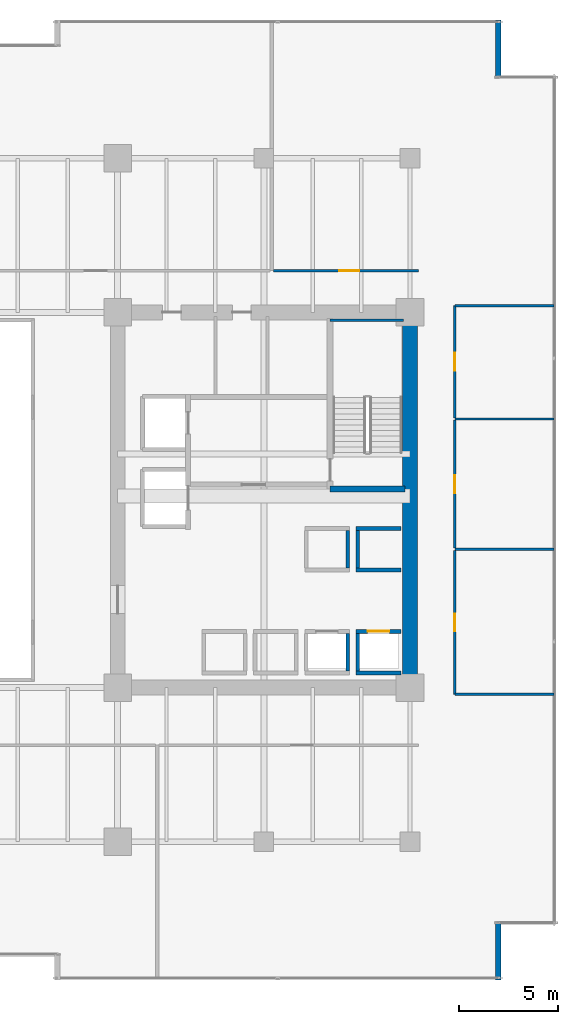
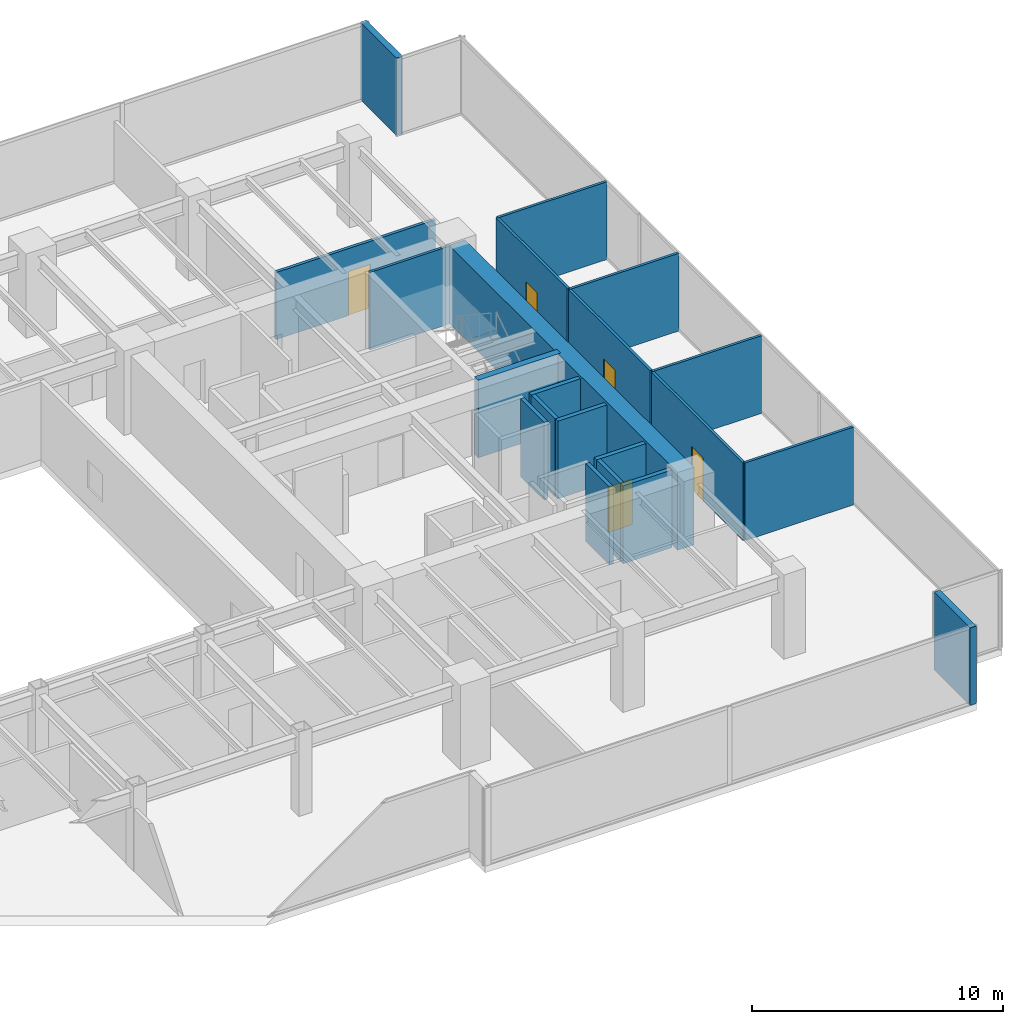
# One storey, part 32 of 35: 21 walls, 5 doors, 5 openings.
"""IFC4 building model written with IfcOpenShell, lengths in metres."""

from ifc_helpers import new_model, si_unit, direction, frame, frame_2d, origin, place, context, subcontext, project, spatial, rectangle, extrude, source, transform, mapped, material, layer, layer_set, type_object, type_shapes, element, fill, save


model = new_model("IFC4")

# Units and contexts
model_context = context("Model", 3, precision=1e-05, world=origin(), true_north=direction((0.0, 1.0)))
body_context = subcontext(model_context, "Body", "Model", "MODEL_VIEW")
ifc_project = project(units=[si_unit("LENGTHUNIT", "METRE"), si_unit("AREAUNIT", "SQUARE_METRE"), si_unit("VOLUMEUNIT", "CUBIC_METRE"), si_unit("PLANEANGLEUNIT", "RADIAN"), si_unit("MASSUNIT", "GRAM", prefix="KILO")], contexts=[model_context])

# Site, building, storey
site_placement = place(None, origin())
site = spatial("IfcSite", under=ifc_project, at=site_placement, CompositionType="ELEMENT")
building_placement = place(site_placement, origin())
building = spatial("IfcBuilding", under=site, at=building_placement, Name="Haelvirn Gate Laboratories", CompositionType="ELEMENT")
storey_placement = place(building_placement, frame((0.0, 0.0, 70.300048828125)))
storey = spatial("IfcBuildingStorey", under=building, at=storey_placement, Name="L17", CompositionType="ELEMENT", Elevation=70.300048828125)

# Walls
ifc_material_1 = material(Name="Thermally-broken bronze aluminium rainscreen & mineral wool", Category="aluminium")
ifc_layer_1 = layer(ifc_material_1, 0.280029296875, Name="EW-TERR-280")
ifc_layer_set_1 = layer_set([ifc_layer_1], Name="Thermally-broken bronze aluminium rainscreen & mineral wool")
wall_type_1 = type_object("IfcWallType", Name="EW-TERR-280", PredefinedType="STANDARD", material=ifc_layer_set_1)
wall_1_placement = place(storey_placement, frame((71.860107421875, 0.0, 0.0), z_axis=(0.0, 0.0, 1.0), x_axis=(0.0, 1.0, 0.0)))
element("IfcWall", 1, at=wall_1_placement, inside=storey, type_object=wall_type_1, Name="L17 Atrium Recess Bronze Return Wall 05", PredefinedType="STANDARD", context=body_context, shape_type="SweptSolid", body=[
    extrude(rectangle(XDim=2.887939453125, YDim=0.280029296875, at=frame_2d((1.44384765625, 0.0))), origin(), (0.0, 0.0, 1.0), 3.780029296875),
])
wall_2_placement = place(storey_placement, frame((71.860107421875, 45.7119140625, 0.0), z_axis=(0.0, 0.0, 1.0), x_axis=(0.0, 1.0, 0.0)))
element("IfcWall", 2, at=wall_2_placement, inside=storey, type_object=wall_type_1, Name="L17 Atrium Recess Bronze Return Wall 09", PredefinedType="STANDARD", context=body_context, shape_type="SweptSolid", body=[
    extrude(rectangle(XDim=2.88818359375, YDim=0.280029296875, at=frame_2d((1.444091796875, 0.0))), origin(), (0.0, 0.0, 1.0), 3.780029296875),
])
ifc_material_2 = material(Name="Lightweight acoustic gypsum board partition", Category="gypsum")
ifc_layer_2 = layer(ifc_material_2, 0.1201171875, Name="IW-PART-120")
ifc_layer_set_2 = layer_set([ifc_layer_2], Name="Lightweight acoustic gypsum board partition")
wall_type_2 = type_object("IfcWallType", Name="IW-PART-120", PredefinedType="PARTITIONING", material=ifc_layer_set_2)
for number, where, z_axis, x_axis, name in (
    (3, (69.669921875, 14.465087890625, 0.0), (0.0, 0.0, 1.0), (1.0, 0.0, 0.0), "L17 Interior Wall IW-L17-ECAP-S"),
    (4, (69.669921875, 34.135009765625, 0.0), (0.0, 0.0, 1.0), (1.0, 0.0, 0.0), "L17 Interior Wall IW-L17-ECAP-N"),
):
    element("IfcWall", number, at=place(storey_placement, frame(where, z_axis=z_axis, x_axis=x_axis)), inside=storey, type_object=wall_type_2, Name=name, PredefinedType="PARTITIONING", context=body_context, shape_type="SweptSolid", body=[
        extrude(rectangle(XDim=5.02001953125, YDim=0.1201171875, at=frame_2d((2.510009765625, 0.0))), origin(), (0.0, 0.0, 1.0), 3.780029296875),
    ])

# Wall, opening, door
wall_3_placement = place(storey_placement, frame((69.669921875, 14.465087890625, 0.0), z_axis=(0.0, 0.0, 1.0), x_axis=(0.0, 1.0, 0.0)))
wall_3 = element("IfcWall", 5, at=wall_3_placement, inside=storey, type_object=wall_type_2, Name="L17 Interior Wall IW-L17-EPASS-01", PredefinedType="PARTITIONING", context=body_context, shape_type="SweptSolid", body=[
    extrude(rectangle(XDim=7.27490234375, YDim=0.1201171875, at=frame_2d((3.637451171875, 0.0))), origin(), (0.0, 0.0, 1.0), 3.780029296875),
])
opening_1_placement = place(wall_3_placement, frame((3.1875, 0.0, 0.0)))
opening_1 = element("IfcOpeningElement", 6, at=opening_1_placement, cuts=wall_3, Name="Opening D4", PredefinedType="OPENING", context=body_context, shape_type="SweptSolid", body=[
    extrude(rectangle(XDim=0.89990234375, YDim=2.10009765625, at=frame_2d((0.449951171875, 1.050048828125))), frame((0.0, 0.070068359375, 0.0), z_axis=(0.0, -1.0, 0.0), x_axis=(1.0, 0.0, 0.0)), (0.0, 0.0, 1.0), 0.14013671875),
])
ifc_material_3 = material(Name="Glazed aluminium-framed write-up door", Category="aluminium")
door_type_1 = type_object("IfcDoorType", Name="DR-OFF-900", OperationType="NOTDEFINED", PredefinedType="DOOR", material=ifc_material_3)
shared_shape_1 = source(origin(), body_context, "Body", "SweptSolid", [
    extrude(rectangle(XDim=0.89990234375, YDim=2.10009765625, at=frame_2d((0.449951171875, 1.050048828125))), frame((0.0, 0.02490234375, 0.0), z_axis=(0.0, -1.0, 0.0), x_axis=(1.0, 0.0, 0.0)), (0.0, 0.0, 1.0), 0.050048828125),
])
type_shapes(door_type_1, [shared_shape_1])
door_1_placement = place(opening_1_placement, origin())
door_1 = element("IfcDoor", 7, at=door_1_placement, inside=storey, type_object=door_type_1, Name="L17 Bioprocess Foundry Laboratory Door E1", OperationType="SINGLE_SWING_LEFT", OverallHeight=2.10009765625, OverallWidth=0.89990234375, PredefinedType="DOOR", context=body_context, shape_type="MappedRepresentation", body=[
    mapped(shared_shape_1, transform((0.0, 0.0, 0.0), scale=1.0)),
])
fill(opening_1, door_1)

# Wall
wall_4_placement = place(storey_placement, frame((69.669921875, 21.800048828125, 0.0), z_axis=(0.0, 0.0, 1.0), x_axis=(1.0, 0.0, 0.0)))
element("IfcWall", 8, at=wall_4_placement, inside=storey, type_object=wall_type_2, Name="L17 Interior Wall IW-L17-EDIV-01", PredefinedType="PARTITIONING", context=body_context, shape_type="SweptSolid", body=[
    extrude(rectangle(XDim=5.02001953125, YDim=0.1201171875, at=frame_2d((2.510009765625, 0.0))), origin(), (0.0, 0.0, 1.0), 3.780029296875),
])

# Wall, opening, door
wall_5_placement = place(storey_placement, frame((69.669921875, 21.860107421875, 0.0), z_axis=(0.0, 0.0, 1.0), x_axis=(0.0, 1.0, 0.0)))
wall_5 = element("IfcWall", 9, at=wall_5_placement, inside=storey, type_object=wall_type_2, Name="L17 Interior Wall IW-L17-EPASS-02", PredefinedType="PARTITIONING", context=body_context, shape_type="SweptSolid", body=[
    extrude(rectangle(XDim=6.47998046875, YDim=0.1201171875, at=frame_2d((3.239990234375, 0.0))), origin(), (0.0, 0.0, 1.0), 3.780029296875),
])
opening_2_placement = place(wall_5_placement, frame((2.7900390625, 0.0, 0.0)))
opening_2 = element("IfcOpeningElement", 10, at=opening_2_placement, cuts=wall_5, Name="Opening D4", PredefinedType="OPENING", context=body_context, shape_type="SweptSolid", body=[
    extrude(rectangle(XDim=0.89990234375, YDim=2.10009765625, at=frame_2d((0.449951171875, 1.050048828125))), frame((0.0, 0.070068359375, 0.0), z_axis=(0.0, -1.0, 0.0), x_axis=(1.0, 0.0, 0.0)), (0.0, 0.0, 1.0), 0.14013671875),
])
door_2_placement = place(opening_2_placement, origin())
door_2 = element("IfcDoor", 11, at=door_2_placement, inside=storey, type_object=door_type_1, Name="L17 Genomics Assay Laboratory Door E2", OperationType="SINGLE_SWING_RIGHT", OverallHeight=2.10009765625, OverallWidth=0.89990234375, PredefinedType="DOOR", context=body_context, shape_type="MappedRepresentation", body=[
    mapped(shared_shape_1, transform((0.0, 0.0, 0.0), scale=1.0)),
])
fill(opening_2, door_2)

# Wall
wall_6_placement = place(storey_placement, frame((69.669921875, 28.39990234375, 0.0), z_axis=(0.0, 0.0, 1.0), x_axis=(1.0, 0.0, 0.0)))
element("IfcWall", 12, at=wall_6_placement, inside=storey, type_object=wall_type_2, Name="L17 Interior Wall IW-L17-EDIV-02", PredefinedType="PARTITIONING", context=body_context, shape_type="SweptSolid", body=[
    extrude(rectangle(XDim=5.02001953125, YDim=0.1201171875, at=frame_2d((2.510009765625, 0.0))), origin(), (0.0, 0.0, 1.0), 3.780029296875),
])

# Wall, opening, door
wall_7_placement = place(storey_placement, frame((69.669921875, 28.4599609375, 0.0), z_axis=(0.0, 0.0, 1.0), x_axis=(0.0, 1.0, 0.0)))
wall_7 = element("IfcWall", 13, at=wall_7_placement, inside=storey, type_object=wall_type_2, Name="L17 Interior Wall IW-L17-EPASS-03", PredefinedType="PARTITIONING", context=body_context, shape_type="SweptSolid", body=[
    extrude(rectangle(XDim=5.675048828125, YDim=0.1201171875, at=frame_2d((2.83740234375, 0.0))), origin(), (0.0, 0.0, 1.0), 3.780029296875),
])
opening_3_placement = place(wall_7_placement, frame((2.387451171875, 0.0, 0.0)))
opening_3 = element("IfcOpeningElement", 14, at=opening_3_placement, cuts=wall_7, Name="Opening D4", PredefinedType="OPENING", context=body_context, shape_type="SweptSolid", body=[
    extrude(rectangle(XDim=0.89990234375, YDim=2.10009765625, at=frame_2d((0.449951171875, 1.050048828125))), frame((0.0, 0.070068359375, 0.0), z_axis=(0.0, -1.0, 0.0), x_axis=(1.0, 0.0, 0.0)), (0.0, 0.0, 1.0), 0.14013671875),
])
door_3_placement = place(opening_3_placement, origin())
door_3 = element("IfcDoor", 15, at=door_3_placement, inside=storey, type_object=door_type_1, Name="L17 Proteomics Mass-Spec Laboratory Door E3", OperationType="SINGLE_SWING_LEFT", OverallHeight=2.10009765625, OverallWidth=0.89990234375, PredefinedType="DOOR", context=body_context, shape_type="MappedRepresentation", body=[
    mapped(shared_shape_1, transform((0.0, 0.0, 0.0), scale=1.0)),
])
fill(opening_3, door_3)

ifc_material_4 = material(Name="Acoustic mineral-wool gypsum board partition", Category="gypsum")
ifc_layer_3 = layer(ifc_material_4, 0.139892578125, Name="IW-PART-140")
ifc_layer_set_3 = layer_set([ifc_layer_3], Name="Acoustic mineral-wool gypsum board partition")
wall_type_3 = type_object("IfcWallType", Name="IW-PART-140", PredefinedType="PARTITIONING", material=ifc_layer_set_3)
wall_8_placement = place(storey_placement, frame((60.47998046875, 35.909912109375, 0.0), z_axis=(0.0, 0.0, 1.0), x_axis=(1.0, 0.0, 0.0)))
wall_8 = element("IfcWall", 16, at=wall_8_placement, inside=storey, type_object=wall_type_3, Name="L17 Interior Wall IW-L17-NCORR-05", PredefinedType="PARTITIONING", context=body_context, shape_type="SweptSolid", body=[
    extrude(rectangle(XDim=7.340087890625, YDim=0.139892578125, at=frame_2d((3.669921875, 0.0))), origin(), (0.0, 0.0, 1.0), 3.264892578125),
])
opening_4_placement = place(wall_8_placement, frame((3.339111328125, 0.0, 0.0)))
opening_4 = element("IfcOpeningElement", 17, at=opening_4_placement, cuts=wall_8, Name="Opening D2", PredefinedType="OPENING", context=body_context, shape_type="SweptSolid", body=[
    extrude(rectangle(XDim=1.0, YDim=2.14990234375, at=frame_2d((0.5, 1.074951171875))), frame((0.0, 0.080078125, 0.0), z_axis=(0.0, -1.0, 0.0), x_axis=(1.0, 0.0, 0.0)), (0.0, 0.0, 1.0), 0.159912109375),
])
ifc_material_5 = material(Name="Acoustic solid-core timber suite door", Category="wood")
door_type_2 = type_object("IfcDoorType", Name="DR-INT-1000", OperationType="NOTDEFINED", PredefinedType="DOOR", material=ifc_material_5)
shared_shape_2 = source(origin(), body_context, "Body", "SweptSolid", [
    extrude(rectangle(XDim=1.0, YDim=2.14990234375, at=frame_2d((0.5, 1.074951171875))), frame((0.0, 0.02490234375, 0.0), z_axis=(0.0, -1.0, 0.0), x_axis=(1.0, 0.0, 0.0)), (0.0, 0.0, 1.0), 0.050048828125),
])
type_shapes(door_type_2, [shared_shape_2])
door_4_placement = place(opening_4_placement, origin())
door_4 = element("IfcDoor", 18, at=door_4_placement, inside=storey, type_object=door_type_2, Name="L17 Floor Hydration & Tea Servery Door N5", OperationType="SINGLE_SWING_LEFT", OverallHeight=2.14990234375, OverallWidth=1.0, PredefinedType="DOOR", context=body_context, shape_type="MappedRepresentation", body=[
    mapped(shared_shape_2, transform((0.0, 0.0, 0.0), scale=1.0)),
])
fill(opening_4, door_4)

# Walls
ifc_material_6 = material(Name="Concrete C40/50", Category="concrete")
ifc_layer_4 = layer(ifc_material_6, 0.179931640625, Name="IW-SHAFT-180")
ifc_layer_set_4 = layer_set([ifc_layer_4], Name="Concrete C40/50")
wall_type_4 = type_object("IfcWallType", Name="IW-SHAFT-180", PredefinedType="SOLIDWALL", material=ifc_layer_set_4)
for number, where, z_axis, x_axis, name in (
    (19, (64.75, 15.64990234375, 0.0), (0.0, 0.0, 1.0), (0.0, 1.0, 0.0), "L17 Interior Wall IW-L17-PL3-SD"),
    (20, (64.25, 15.64990234375, 0.0), (0.0, 0.0, 1.0), (0.0, 1.0, 0.0), "L17 Interior Wall IW-L17-PL4-SDE"),
):
    element("IfcWall", number, at=place(storey_placement, frame(where, z_axis=z_axis, x_axis=x_axis)), inside=storey, type_object=wall_type_4, Name=name, PredefinedType="SOLIDWALL", context=body_context, shape_type="SweptSolid", body=[
        extrude(rectangle(XDim=1.900146484375, YDim=0.179931640625, at=frame_2d((0.9501953125, 0.0))), origin(), (0.0, 0.0, 1.0), 3.780029296875),
    ])
for number, where, z_axis, x_axis, name in (
    (21, (64.75, 20.85009765625, 0.0), (0.0, 0.0, 1.0), (0.0, 1.0, 0.0), "L17 Interior Wall IW-L17-PL11-SD"),
    (22, (64.25, 20.85009765625, 0.0), (0.0, 0.0, 1.0), (0.0, 1.0, 0.0), "L17 Interior Wall IW-L17-PL12-SDE"),
):
    element("IfcWall", number, at=place(storey_placement, frame(where, z_axis=z_axis, x_axis=x_axis)), inside=storey, type_object=wall_type_4, Name=name, PredefinedType="SOLIDWALL", context=body_context, shape_type="SweptSolid", body=[
        extrude(rectangle(XDim=1.89990234375, YDim=0.179931640625, at=frame_2d((0.949951171875, 0.0))), origin(), (0.0, 0.0, 1.0), 3.780029296875),
    ])

# Wall, opening, door
ifc_layer_5 = layer(ifc_material_6, 0.199951171875, Name="IW-SHAFT-200")
ifc_layer_set_5 = layer_set([ifc_layer_5], Name="Concrete C40/50")
wall_type_5 = type_object("IfcWallType", Name="IW-SHAFT-200", PredefinedType="SOLIDWALL", material=ifc_layer_set_5)
wall_9_placement = place(storey_placement, frame((64.669921875, 17.64990234375, 0.0), z_axis=(0.0, 0.0, 1.0), x_axis=(1.0, 0.0, 0.0)))
wall_9 = element("IfcWall", 23, at=wall_9_placement, inside=storey, type_object=wall_type_5, Name="L17 Interior Wall IW-L17-PL3-FR", PredefinedType="SOLIDWALL", context=body_context, shape_type="SweptSolid", body=[
    extrude(rectangle(XDim=2.260009765625, YDim=0.199951171875, at=frame_2d((1.1298828125, 0.0))), origin(), (0.0, 0.0, 1.0), 3.780029296875),
])
opening_5_placement = place(wall_9_placement, frame((0.580078125, 0.0, 0.0)))
opening_5 = element("IfcOpeningElement", 24, at=opening_5_placement, cuts=wall_9, Name="Opening LD2", PredefinedType="OPENING", context=body_context, shape_type="SweptSolid", body=[
    extrude(rectangle(XDim=1.10009765625, YDim=2.219970703125, at=frame_2d((0.550048828125, 1.10986328125))), frame((0.0, 0.10986328125, 0.0), z_axis=(0.0, -1.0, 0.0), x_axis=(1.0, 0.0, 0.0)), (0.0, 0.0, 1.0), 0.219970703125),
])
ifc_material_7 = material(Name="Bronze stainless 316L sliding lift landing door")
door_type_3 = type_object("IfcDoorType", Name="DR-LD-1100", OperationType="NOTDEFINED", PredefinedType="USERDEFINED", material=ifc_material_7)
shared_shape_3 = source(origin(), body_context, "Body", "SweptSolid", [
    extrude(rectangle(XDim=1.10009765625, YDim=2.219970703125, at=frame_2d((0.550048828125, 1.10986328125))), frame((0.0, 0.02490234375, 0.0), z_axis=(0.0, -1.0, 0.0), x_axis=(1.0, 0.0, 0.0)), (0.0, 0.0, 1.0), 0.050048828125),
])
type_shapes(door_type_3, [shared_shape_3])
door_5_placement = place(opening_5_placement, origin())
door_5 = element("IfcDoor", 25, at=door_5_placement, inside=storey, type_object=door_type_3, Name="L17 Passenger Lift PL3 Landing Door", ObjectType="LANDING_DOOR", OperationType="SLIDING_TO_LEFT", OverallHeight=2.219970703125, OverallWidth=1.10009765625, PredefinedType="USERDEFINED", context=body_context, shape_type="MappedRepresentation", body=[
    mapped(shared_shape_3, transform((0.0, 0.0, 0.0), scale=1.0)),
])
fill(opening_5, door_5)

# Walls
for number, where, z_axis, x_axis, name in (
    (26, (64.669921875, 15.550048828125, 0.0), (0.0, 0.0, 1.0), (1.0, 0.0, 0.0), "L17 Interior Wall IW-L17-PL3-BK"),
    (27, (64.669921875, 20.75, 0.0), (0.0, 0.0, 1.0), (1.0, 0.0, 0.0), "L17 Interior Wall IW-L17-PL11-FR"),
    (28, (64.669921875, 22.85009765625, 0.0), (0.0, 0.0, 1.0), (1.0, 0.0, 0.0), "L17 Interior Wall IW-L17-PL11-BK"),
):
    element("IfcWall", number, at=place(storey_placement, frame(where, z_axis=z_axis, x_axis=x_axis)), inside=storey, type_object=wall_type_5, Name=name, PredefinedType="SOLIDWALL", context=body_context, shape_type="SweptSolid", body=[
        extrude(rectangle(XDim=2.260009765625, YDim=0.199951171875, at=frame_2d((1.1298828125, 0.0))), origin(), (0.0, 0.0, 1.0), 3.780029296875),
    ])
ifc_material_8 = material(Name="Concrete C70/85", Category="concrete")
ifc_layer_6 = layer(ifc_material_8, 0.75, Name="SW-CORE-750")
ifc_layer_set_6 = layer_set([ifc_layer_6], Name="Concrete C70/85")
wall_type_6 = type_object("IfcWallType", Name="SW-CORE-750", PredefinedType="SHEAR", material=ifc_layer_set_6)
wall_10_placement = place(storey_placement, frame((67.39990234375, 15.175048828125, 0.0), z_axis=(0.0, 0.0, 1.0), x_axis=(0.0, 1.0, 0.0)))
element("IfcWall", 29, at=wall_10_placement, inside=storey, type_object=wall_type_6, Name="L17 E Core Shear Wall E", PredefinedType="SHEAR", context=body_context, shape_type="SweptSolid", body=[
    extrude(rectangle(XDim=18.25, YDim=0.75, at=frame_2d((9.125, 0.0))), origin(), (0.0, 0.0, 1.0), 3.780029296875),
])
ifc_material_9 = material(Name="Concrete C50/60", Category="concrete")
ifc_layer_7 = layer(ifc_material_9, 0.1201171875, Name="SW-LINER-120")
ifc_layer_set_7 = layer_set([ifc_layer_7], Name="Concrete C50/60")
wall_type_7 = type_object("IfcWallType", Name="SW-LINER-120", PredefinedType="SOLIDWALL", material=ifc_layer_set_7)
wall_11_placement = place(storey_placement, frame((63.35009765625, 33.39990234375, 0.0), z_axis=(0.0, 0.0, 1.0), x_axis=(1.0, 0.0, 0.0)))
element("IfcWall", 30, at=wall_11_placement, inside=storey, type_object=wall_type_7, Name="L17 E Core Stair Shaft Liner Wall N", PredefinedType="SOLIDWALL", context=body_context, shape_type="SweptSolid", body=[
    extrude(rectangle(XDim=3.719970703125, YDim=0.1201171875, at=frame_2d((1.85986328125, 0.0))), origin(), (0.0, 0.0, 1.0), 3.780029296875),
])
ifc_layer_8 = layer(ifc_material_9, 0.300048828125, Name="SW-STAIR-300")
ifc_layer_set_8 = layer_set([ifc_layer_8], Name="Concrete C50/60")
wall_type_8 = type_object("IfcWallType", Name="SW-STAIR-300", PredefinedType="SHEAR", material=ifc_layer_set_8)
wall_12_placement = place(storey_placement, frame((63.35009765625, 24.85009765625, 0.0), z_axis=(0.0, 0.0, 1.0), x_axis=(1.0, 0.0, 0.0)))
element("IfcWall", 31, at=wall_12_placement, inside=storey, type_object=wall_type_8, Name="L17 E Core Stair Shaft Structural Wall S", PredefinedType="SHEAR", context=body_context, shape_type="SweptSolid", body=[
    extrude(rectangle(XDim=3.7998046875, YDim=0.300048828125, at=frame_2d((1.89990234375, 0.0))), origin(), (0.0, 0.0, 1.0), 3.780029296875),
])

save(model, "model.ifc")
